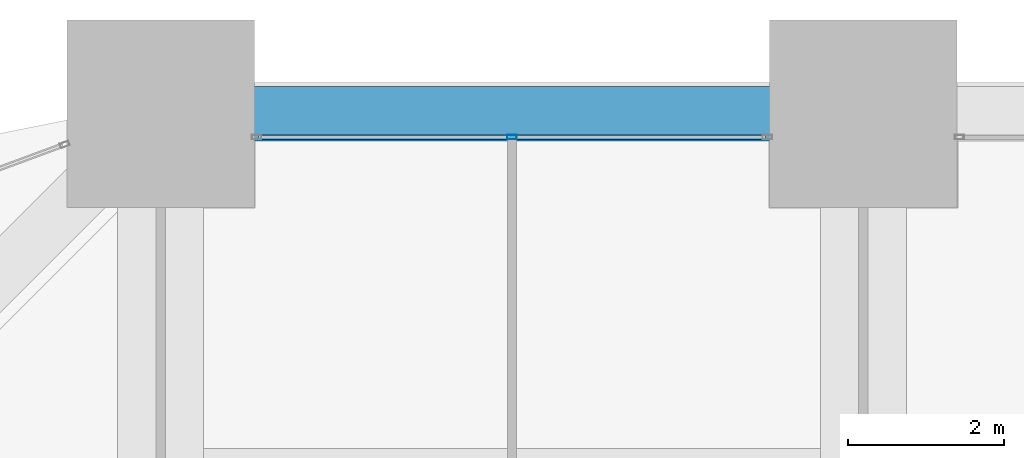
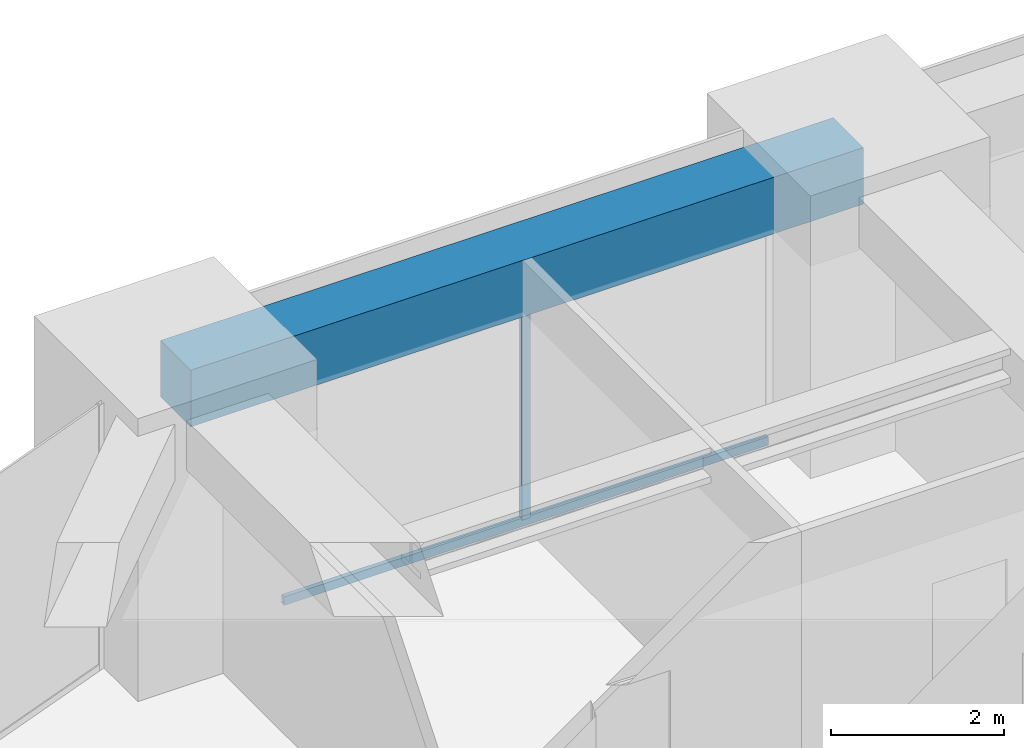
# One storey, part 32 of 45: 2 members, 1 beam, 1 element without a shape of its own.
"""IFC4 building model written with IfcOpenShell, lengths in metres."""

from ifc_helpers import new_model, si_unit, direction, frame, origin, origin_2d, place, context, subcontext, project, spatial, rectangle, hollow_rectangle, extrude, material, material_profile, profile_set, type_object, element, aggregate, save


model = new_model("IFC4")

# Units and contexts
model_context = context("Model", 3, precision=1e-05, world=origin(), true_north=direction((0.0, 1.0)))
body_context = subcontext(model_context, "Body", "Model", "MODEL_VIEW")
ifc_project = project(units=[si_unit("LENGTHUNIT", "METRE"), si_unit("AREAUNIT", "SQUARE_METRE"), si_unit("VOLUMEUNIT", "CUBIC_METRE"), si_unit("PLANEANGLEUNIT", "RADIAN"), si_unit("MASSUNIT", "GRAM", prefix="KILO")], contexts=[model_context])

# Site, building, storey
site_placement = place(None, origin())
site = spatial("IfcSite", under=ifc_project, at=site_placement, CompositionType="ELEMENT")
building_placement = place(site_placement, origin())
building = spatial("IfcBuilding", under=site, at=building_placement, Name="Zorevar Civic Tower", CompositionType="ELEMENT")
storey_placement = place(building_placement, frame((0.0, 0.0, 247.39990234375)))
storey = spatial("IfcBuildingStorey", under=building, at=storey_placement, Name="L60", CompositionType="ELEMENT", Elevation=247.39990234375)

# Curtain wall, members
ifc_material_1 = material(Name="Dark grey solar-control glass in black aluminium frame", Category="aluminium")
curtain_wall_type = type_object("IfcCurtainWallType", Name="Curtain wall CW5 top zone", PredefinedType="NOTDEFINED", material=ifc_material_1)
curtain_wall_placement = place(storey_placement, origin())
curtain_wall = element("IfcCurtainWall", 1, at=curtain_wall_placement, inside=storey, type_object=curtain_wall_type, Name="CW5 L60", PredefinedType="NOTDEFINED")
ifc_material_2 = material(Name="Aluminium, black anodised", Category="aluminium")
ifc_material_profile_1 = material_profile(ifc_material_2, hollow_rectangle(XDim=0.06005859375, YDim=0.1201171875, WallThickness=0.0029296875, at=origin_2d()), Name="AL 120x60x3")
ifc_profile_set_1 = profile_set([ifc_material_profile_1], Name="Aluminium, black anodised")
member_type_1 = type_object("IfcMemberType", Name="CW5 mullion AL 120x60x3", PredefinedType="MULLION", material=ifc_profile_set_1)
member_1_placement = place(storey_placement, frame((22.5, 44.699951171875, 0.06005859375), z_axis=(0.0, 0.0, 1.0), x_axis=(0.0, 1.0, 0.0)))
member_1 = element("IfcMember", 2, at=member_1_placement, type_object=member_type_1, Name="CW5 mullion 2", PredefinedType="MULLION", context=body_context, shape_type="SweptSolid", body=[
    extrude(hollow_rectangle(XDim=0.06005859375, YDim=0.1201171875, WallThickness=0.0029296875, at=origin_2d()), origin(), (0.0, 0.0, 1.0), 2.89013671875),
])
ifc_material_3 = material(Name="Aluminium, black anodised", Category="aluminium")
ifc_material_profile_2 = material_profile(ifc_material_3, hollow_rectangle(XDim=0.06005859375, YDim=0.1201171875, WallThickness=0.0029296875, at=origin_2d()), Name="AL 120x60x3")
ifc_profile_set_2 = profile_set([ifc_material_profile_2], Name="Aluminium, black anodised")
member_type_2 = type_object("IfcMemberType", Name="CW5 transom AL 120x60x3", PredefinedType="USERDEFINED", material=ifc_profile_set_2)
member_2_placement = place(storey_placement, frame((19.260009765625, 44.699951171875, 0.030029296875), z_axis=(1.0, 0.0, 0.0), x_axis=(0.0, 1.0, 0.0)))
member_2 = element("IfcMember", 3, at=member_2_placement, type_object=member_type_2, Name="CW5 sill transom", ObjectType="TRANSOM", PredefinedType="USERDEFINED", context=body_context, shape_type="SweptSolid", body=[
    extrude(hollow_rectangle(XDim=0.06005859375, YDim=0.1201171875, WallThickness=0.0029296875, at=origin_2d()), origin(), (0.0, 0.0, 1.0), 6.47998046875),
])
aggregate(curtain_wall, [member_1, member_2])

# Beam
ifc_material_4 = material(Name="Concrete C50/60", Category="concrete")
ifc_material_profile_3 = material_profile(ifc_material_4, rectangle(XDim=0.699951171875, YDim=0.800048828125, at=origin_2d()), Name="RC 700x800")
ifc_profile_set_3 = profile_set([ifc_material_profile_3], Name="Concrete C50/60")
beam_type = type_object("IfcBeamType", Name="Edge beam RC 700x800", PredefinedType="SPANDREL", material=ifc_profile_set_3)
beam_placement = place(storey_placement, frame((18.0, 45.0, 3.35009765625), z_axis=(1.0, 0.0, 0.0), x_axis=(0.0, 1.0, 0.0)))
element("IfcBeam", 4, at=beam_placement, inside=storey, type_object=beam_type, Name="Edge beam L61", PredefinedType="SPANDREL", context=body_context, shape_type="SweptSolid", body=[
    extrude(rectangle(XDim=0.699951171875, YDim=0.800048828125, at=origin_2d()), origin(), (0.0, 0.0, 1.0), 9.0),
])

save(model, "model.ifc")
